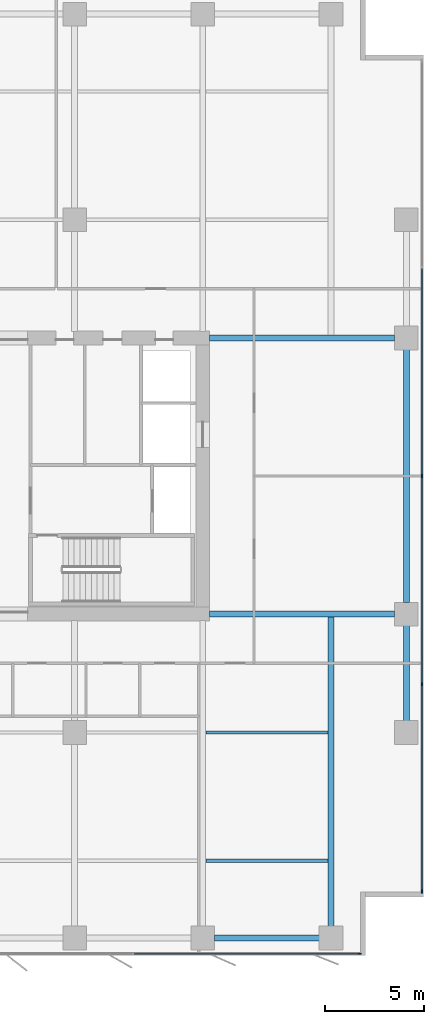
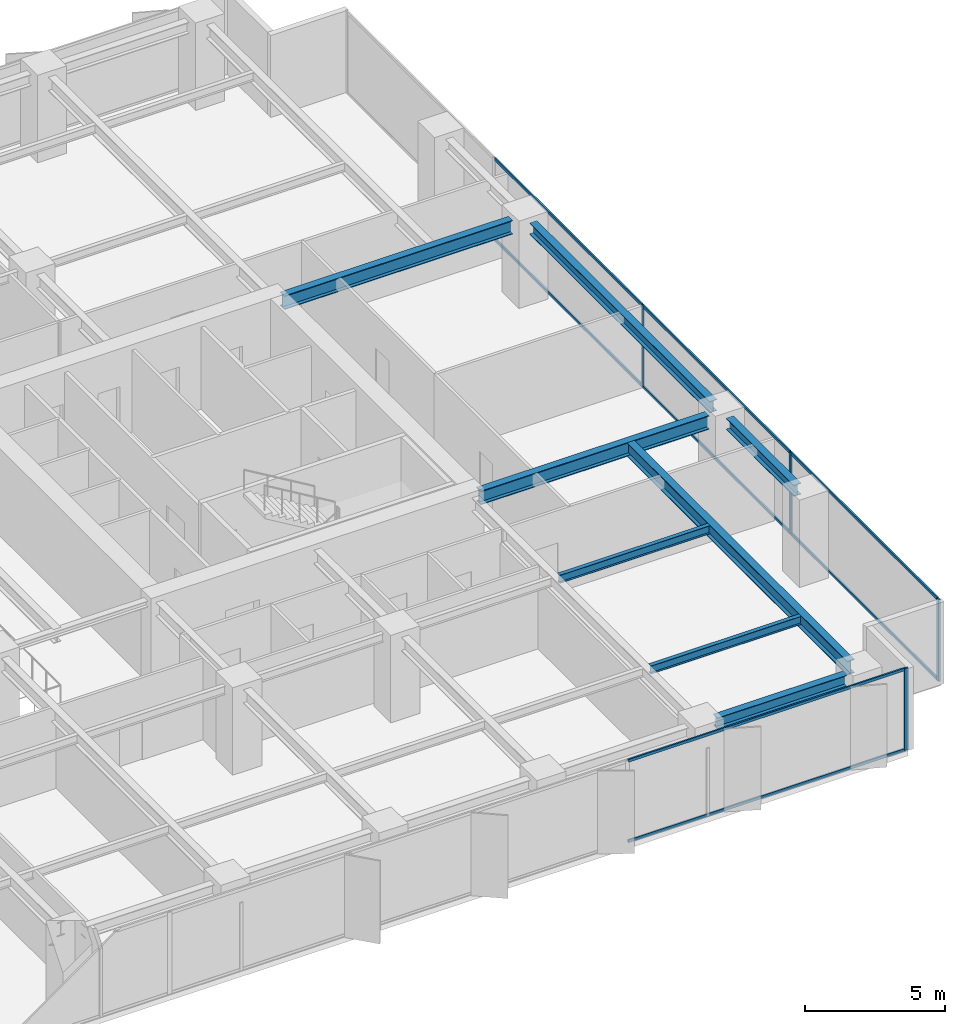
# One storey, part 10 of 20: 12 members, 8 beams, 2 elements without a shape of their own.
"""IFC4 building model written with IfcOpenShell, lengths in metres."""

from ifc_helpers import new_model, si_unit, direction, frame, origin, origin_2d, place, context, subcontext, project, spatial, rectangle, i_section, extrude, material, layer, layer_set, material_profile, profile_set, type_object, element, aggregate, save


model = new_model("IFC4")

# Units and contexts
model_context = context("Model", 3, precision=1e-05, world=origin(), true_north=direction((0.0, 1.0)))
body_context = subcontext(model_context, "Body", "Model", "MODEL_VIEW")
ifc_project = project(units=[si_unit("LENGTHUNIT", "METRE"), si_unit("AREAUNIT", "SQUARE_METRE"), si_unit("VOLUMEUNIT", "CUBIC_METRE"), si_unit("PLANEANGLEUNIT", "RADIAN"), si_unit("MASSUNIT", "GRAM", prefix="KILO")], contexts=[model_context])

# Site, building, storey
site_placement = place(None, origin())
site = spatial("IfcSite", under=ifc_project, at=site_placement, CompositionType="ELEMENT")
building_placement = place(site_placement, origin())
building = spatial("IfcBuilding", under=site, at=building_placement, Name="Putna Gate Headquarters", CompositionType="ELEMENT")
storey_placement = place(building_placement, frame((0.0, 0.0, 101.199951171875)))
storey = spatial("IfcBuildingStorey", under=building, at=storey_placement, Name="L24", CompositionType="ELEMENT", Elevation=101.199951171875)

# Beams
ifc_material_1 = material(Name="Steel S355J2", Category="steel")
ifc_material_profile_1 = material_profile(ifc_material_1, i_section(OverallWidth=0.300048828125, OverallDepth=0.60009765625, WebThickness=0.015380859375, FlangeThickness=0.030029296875, at=origin_2d()), Name="Steel S355J2")
ifc_profile_set_1 = profile_set([ifc_material_profile_1], Name="Steel S355J2")
beam_type_1 = type_object("IfcBeamType", Name="BM-GIRD-Z2-HEB600", PredefinedType="USERDEFINED", material=ifc_profile_set_1)
for number, where, z_axis, x_axis, name in (
    (1, (65.3349609375, 19.0, 3.26513671875), (1.0, 0.0, 0.0), (0.0, 1.0, 0.0), "L24 East Wing Girder Y19"),
    (2, (65.3349609375, 33.0, 3.26513671875), (1.0, 0.0, 0.0), (0.0, 1.0, 0.0), "L24 East Wing Girder Y33"),
):
    element("IfcBeam", number, at=place(storey_placement, frame(where, z_axis=z_axis, x_axis=x_axis)), inside=storey, type_object=beam_type_1, Name=name, ObjectType="GIRDER", PredefinedType="USERDEFINED", context=body_context, shape_type="SweptSolid", body=[
        extrude(i_section(OverallWidth=0.300048828125, OverallDepth=0.60009765625, WebThickness=0.015380859375, FlangeThickness=0.030029296875, at=origin_2d()), origin(), (0.0, 0.0, 1.0), 9.39697265625),
    ])
beam_1_placement = place(storey_placement, frame((71.5, 3.16796875, 3.26513671875), z_axis=(0.0, 1.0, 0.0), x_axis=(-1.0, 0.0, 0.0)))
element("IfcBeam", 3, at=beam_1_placement, inside=storey, type_object=beam_type_1, Name="L24 South Primary Girder X71", ObjectType="GIRDER", PredefinedType="USERDEFINED", context=body_context, shape_type="SweptSolid", body=[
    extrude(i_section(OverallWidth=0.300048828125, OverallDepth=0.60009765625, WebThickness=0.015380859375, FlangeThickness=0.030029296875, at=origin_2d()), origin(), (0.0, 0.0, 1.0), 15.820068359375),
])
ifc_material_profile_2 = material_profile(ifc_material_1, i_section(OverallWidth=0.169921875, OverallDepth=0.360107421875, WebThickness=0.008056640625, FlangeThickness=0.0126953125, at=origin_2d()), Name="Steel S355J2")
ifc_profile_set_2 = profile_set([ifc_material_profile_2], Name="Steel S355J2")
beam_type_2 = type_object("IfcBeamType", Name="BM-SEC-Z2-IPE360", PredefinedType="BEAM", material=ifc_profile_set_2)
for number, where, z_axis, x_axis, name in (
    (4, (65.154052734375, 6.5, 3.385009765625), (1.0, 0.0, 0.0), (0.0, 1.0, 0.0), "L24 South Secondary Beam 10"),
    (5, (65.154052734375, 13.0, 3.385009765625), (1.0, 0.0, 0.0), (0.0, 1.0, 0.0), "L24 South Secondary Beam 10"),
):
    element("IfcBeam", number, at=place(storey_placement, frame(where, z_axis=z_axis, x_axis=x_axis)), inside=storey, type_object=beam_type_2, Name=name, PredefinedType="BEAM", context=body_context, shape_type="SweptSolid", body=[
        extrude(i_section(OverallWidth=0.169921875, OverallDepth=0.360107421875, WebThickness=0.008056640625, FlangeThickness=0.0126953125, at=origin_2d()), origin(), (0.0, 0.0, 1.0), 6.19189453125),
    ])
ifc_material_profile_3 = material_profile(ifc_material_1, i_section(OverallWidth=0.300048828125, OverallDepth=0.489990234375, WebThickness=0.011962890625, FlangeThickness=0.02294921875, at=origin_2d()), Name="Steel S355J2")
ifc_profile_set_3 = profile_set([ifc_material_profile_3], Name="Steel S355J2")
beam_type_3 = type_object("IfcBeamType", Name="BM-SPAN-Z2-HEA500", PredefinedType="SPANDREL", material=ifc_profile_set_3)
beam_2_placement = place(storey_placement, frame((65.587890625, 2.580078125, 3.320068359375), z_axis=(1.0, 0.0, 0.0), x_axis=(0.0, 1.0, 0.0)))
element("IfcBeam", 6, at=beam_2_placement, inside=storey, type_object=beam_type_3, Name="L24 S Perimeter Spandrel 10", PredefinedType="SPANDREL", context=body_context, shape_type="SweptSolid", body=[
    extrude(i_section(OverallWidth=0.300048828125, OverallDepth=0.489990234375, WebThickness=0.011962890625, FlangeThickness=0.02294921875, at=origin_2d()), origin(), (0.0, 0.0, 1.0), 5.32421875),
])
beam_3_placement = place(storey_placement, frame((75.320068359375, 13.587890625, 3.320068359375), z_axis=(0.0, 1.0, 0.0), x_axis=(-1.0, 0.0, 0.0)))
element("IfcBeam", 7, at=beam_3_placement, inside=storey, type_object=beam_type_3, Name="L24 E End Spandrel 1", PredefinedType="SPANDREL", context=body_context, shape_type="SweptSolid", body=[
    extrude(i_section(OverallWidth=0.300048828125, OverallDepth=0.489990234375, WebThickness=0.011962890625, FlangeThickness=0.02294921875, at=origin_2d()), origin(), (0.0, 0.0, 1.0), 4.82421875),
])
beam_4_placement = place(storey_placement, frame((75.320068359375, 19.587890625, 3.320068359375), z_axis=(0.0, 1.0, 0.0), x_axis=(-1.0, 0.0, 0.0)))
element("IfcBeam", 8, at=beam_4_placement, inside=storey, type_object=beam_type_3, Name="L24 E End Spandrel 2", PredefinedType="SPANDREL", context=body_context, shape_type="SweptSolid", body=[
    extrude(i_section(OverallWidth=0.300048828125, OverallDepth=0.489990234375, WebThickness=0.011962890625, FlangeThickness=0.02294921875, at=origin_2d()), origin(), (0.0, 0.0, 1.0), 12.82421875),
])

# Curtain wall, member
ifc_material_2 = material(Name="Anodised bronze aluminium curtain wall", Category="aluminium")
ifc_layer = layer(ifc_material_2, 0.159912109375)
ifc_layer_set = layer_set([ifc_layer], Name="Anodised bronze aluminium curtain wall")
curtain_wall_type = type_object("IfcCurtainWallType", Name="CW-SYS-Z2", PredefinedType="USERDEFINED", material=ifc_layer_set)
curtain_wall_1_placement = place(storey_placement, origin())
curtain_wall_1 = element("IfcCurtainWall", 9, at=curtain_wall_1_placement, inside=storey, type_object=curtain_wall_type, Name="L24 South East Curtain Wall", ObjectType="STICK CURTAIN WALL", PredefinedType="USERDEFINED")
ifc_material_3 = material(Name="Anodised bronze aluminium EN AW-6060", Category="aluminium")
ifc_material_profile_4 = material_profile(ifc_material_3, rectangle(XDim=0.06494140625, YDim=0.159912109375, at=origin_2d()), Name="Anodised bronze aluminium EN AW-6060")
ifc_profile_set_4 = profile_set([ifc_material_profile_4], Name="Anodised bronze aluminium EN AW-6060")
member_type_1 = type_object("IfcMemberType", Name="MULL-CWM-2", PredefinedType="MULLION", material=ifc_profile_set_4)
member_1_placement = place(storey_placement, frame((72.967529296875, 1.780029296875, 0.0), z_axis=(0.0, 0.0, 1.0), x_axis=(0.0, 1.0, 0.0)))
member_1 = element("IfcMember", 10, at=member_1_placement, type_object=member_type_1, Name="CWS-2 mullion 3", PredefinedType="MULLION", context=body_context, shape_type="SweptSolid", body=[
    extrude(rectangle(XDim=0.06494140625, YDim=0.159912109375, at=origin_2d()), origin(), (0.0, 0.0, 1.0), 3.56494140625),
])

# Curtain wall, members
curtain_wall_2_placement = place(storey_placement, origin())
curtain_wall_2 = element("IfcCurtainWall", 11, at=curtain_wall_2_placement, inside=storey, type_object=curtain_wall_type, Name="L24 East Curtain Wall", ObjectType="STICK CURTAIN WALL", PredefinedType="USERDEFINED")
member_2_placement = place(storey_placement, frame((76.1201171875, 4.9326171875, 0.0), z_axis=(0.0, 0.0, 1.0), x_axis=(-1.0, 0.0, 0.0)))
member_2 = element("IfcMember", 12, at=member_2_placement, type_object=member_type_1, Name="CWS-2 mullion 1", PredefinedType="MULLION", context=body_context, shape_type="SweptSolid", body=[
    extrude(rectangle(XDim=0.06494140625, YDim=0.159912109375, at=origin_2d()), origin(), (0.0, 0.0, 1.0), 3.56494140625),
])
member_3_placement = place(storey_placement, frame((76.1201171875, 15.449951171875, 0.0), z_axis=(0.0, 0.0, 1.0), x_axis=(-1.0, 0.0, 0.0)))
member_3 = element("IfcMember", 13, at=member_3_placement, type_object=member_type_1, Name="CWS-2 mullion 2", PredefinedType="MULLION", context=body_context, shape_type="SweptSolid", body=[
    extrude(rectangle(XDim=0.06494140625, YDim=0.159912109375, at=origin_2d()), origin(), (0.0, 0.0, 1.0), 3.56494140625),
])
member_4_placement = place(storey_placement, frame((76.1201171875, 26.0, 0.0), z_axis=(0.0, 0.0, 1.0), x_axis=(-1.0, 0.0, 0.0)))
member_4 = element("IfcMember", 14, at=member_4_placement, type_object=member_type_1, Name="CWS-2 mullion 3", PredefinedType="MULLION", context=body_context, shape_type="SweptSolid", body=[
    extrude(rectangle(XDim=0.06494140625, YDim=0.159912109375, at=origin_2d()), origin(), (0.0, 0.0, 1.0), 3.56494140625),
])

# Member
ifc_material_profile_5 = material_profile(ifc_material_3, rectangle(XDim=0.06494140625, YDim=0.1201171875, at=origin_2d()), Name="Anodised bronze aluminium EN AW-6060")
ifc_profile_set_5 = profile_set([ifc_material_profile_5], Name="Anodised bronze aluminium EN AW-6060")
member_type_2 = type_object("IfcMemberType", Name="TRAN-CWT-2", PredefinedType="USERDEFINED", material=ifc_profile_set_5)
member_5_placement = place(storey_placement, frame((61.532470703125, 1.780029296875, 0.032470703125), z_axis=(1.0, 0.0, 0.0), x_axis=(0.0, 1.0, 0.0)))
member_5 = element("IfcMember", 15, at=member_5_placement, type_object=member_type_2, Name="CWS-2 transom 2.1", ObjectType="TRANSOM", PredefinedType="USERDEFINED", context=body_context, shape_type="SweptSolid", body=[
    extrude(rectangle(XDim=0.06494140625, YDim=0.1201171875, at=origin_2d()), origin(), (0.0, 0.0, 1.0), 11.402587890625),
])

member_6_placement = place(storey_placement, frame((61.532470703125, 1.780029296875, 3.532470703125), z_axis=(1.0, 0.0, 0.0), x_axis=(0.0, 1.0, 0.0)))
member_6 = element("IfcMember", 16, at=member_6_placement, type_object=member_type_2, Name="CWS-2 transom 2.2", ObjectType="TRANSOM", PredefinedType="USERDEFINED", context=body_context, shape_type="SweptSolid", body=[
    extrude(rectangle(XDim=0.06494140625, YDim=0.1201171875, at=origin_2d()), origin(), (0.0, 0.0, 1.0), 11.402587890625),
])

aggregate(curtain_wall_1, [member_1, member_5, member_6])

member_7_placement = place(storey_placement, frame((76.1201171875, 4.965087890625, 0.032470703125), z_axis=(0.0, 1.0, 0.0), x_axis=(-1.0, 0.0, 0.0)))
member_7 = element("IfcMember", 17, at=member_7_placement, type_object=member_type_2, Name="CWS-2 transom 1.1", ObjectType="TRANSOM", PredefinedType="USERDEFINED", context=body_context, shape_type="SweptSolid", body=[
    extrude(rectangle(XDim=0.06494140625, YDim=0.1201171875, at=origin_2d()), origin(), (0.0, 0.0, 1.0), 10.452392578125),
])

member_8_placement = place(storey_placement, frame((76.1201171875, 4.965087890625, 3.532470703125), z_axis=(0.0, 1.0, 0.0), x_axis=(-1.0, 0.0, 0.0)))
member_8 = element("IfcMember", 18, at=member_8_placement, type_object=member_type_2, Name="CWS-2 transom 1.2", ObjectType="TRANSOM", PredefinedType="USERDEFINED", context=body_context, shape_type="SweptSolid", body=[
    extrude(rectangle(XDim=0.06494140625, YDim=0.1201171875, at=origin_2d()), origin(), (0.0, 0.0, 1.0), 10.452392578125),
])

member_9_placement = place(storey_placement, frame((76.1201171875, 15.482421875, 0.032470703125), z_axis=(0.0, 1.0, 0.0), x_axis=(-1.0, 0.0, 0.0)))
member_9 = element("IfcMember", 19, at=member_9_placement, type_object=member_type_2, Name="CWS-2 transom 2.1", ObjectType="TRANSOM", PredefinedType="USERDEFINED", context=body_context, shape_type="SweptSolid", body=[
    extrude(rectangle(XDim=0.06494140625, YDim=0.1201171875, at=origin_2d()), origin(), (0.0, 0.0, 1.0), 10.485107421875),
])

member_10_placement = place(storey_placement, frame((76.1201171875, 15.482421875, 3.532470703125), z_axis=(0.0, 1.0, 0.0), x_axis=(-1.0, 0.0, 0.0)))
member_10 = element("IfcMember", 20, at=member_10_placement, type_object=member_type_2, Name="CWS-2 transom 2.2", ObjectType="TRANSOM", PredefinedType="USERDEFINED", context=body_context, shape_type="SweptSolid", body=[
    extrude(rectangle(XDim=0.06494140625, YDim=0.1201171875, at=origin_2d()), origin(), (0.0, 0.0, 1.0), 10.485107421875),
])

member_11_placement = place(storey_placement, frame((76.1201171875, 26.032470703125, 0.032470703125), z_axis=(0.0, 1.0, 0.0), x_axis=(-1.0, 0.0, 0.0)))
member_11 = element("IfcMember", 21, at=member_11_placement, type_object=member_type_2, Name="CWS-2 transom 3.1", ObjectType="TRANSOM", PredefinedType="USERDEFINED", context=body_context, shape_type="SweptSolid", body=[
    extrude(rectangle(XDim=0.06494140625, YDim=0.1201171875, at=origin_2d()), origin(), (0.0, 0.0, 1.0), 10.485107421875),
])

member_12_placement = place(storey_placement, frame((76.1201171875, 26.032470703125, 3.532470703125), z_axis=(0.0, 1.0, 0.0), x_axis=(-1.0, 0.0, 0.0)))
member_12 = element("IfcMember", 22, at=member_12_placement, type_object=member_type_2, Name="CWS-2 transom 3.2", ObjectType="TRANSOM", PredefinedType="USERDEFINED", context=body_context, shape_type="SweptSolid", body=[
    extrude(rectangle(XDim=0.06494140625, YDim=0.1201171875, at=origin_2d()), origin(), (0.0, 0.0, 1.0), 10.485107421875),
])

aggregate(curtain_wall_2, [member_2, member_3, member_4, member_7, member_8, member_9, member_10, member_11, member_12])

save(model, "model.ifc")
